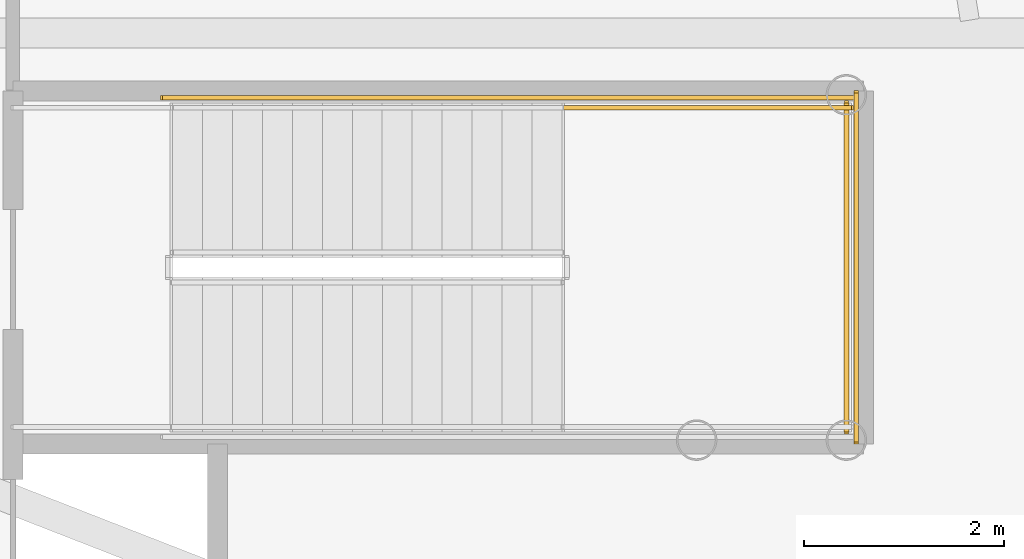
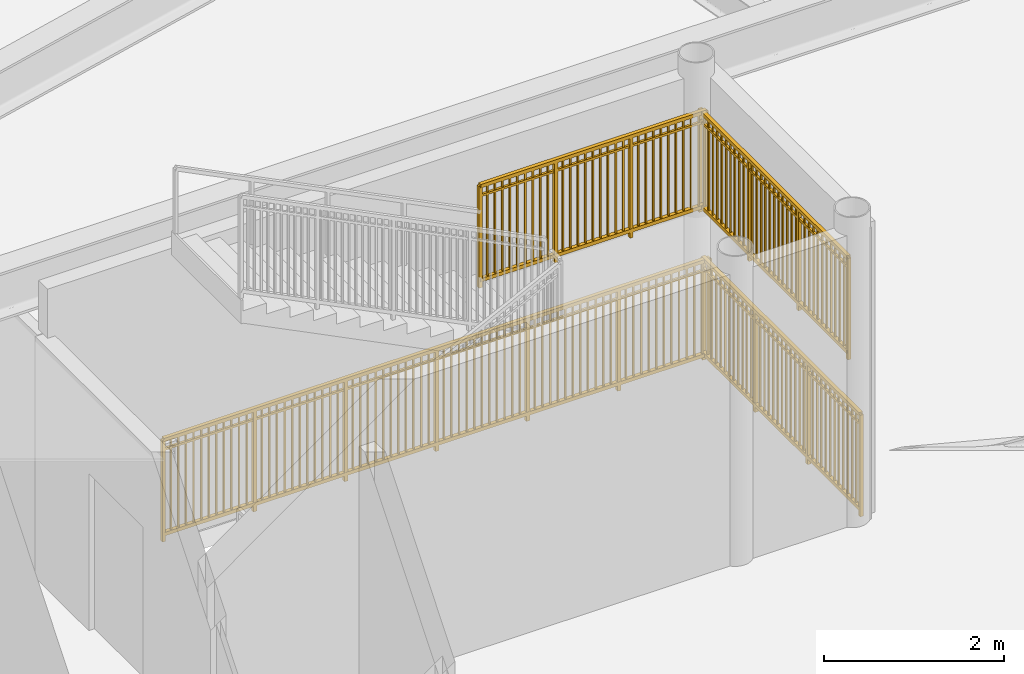
# One storey, part 27 of 28: 4 railings.
"""IFC4 building model written with IfcOpenShell, lengths in metres."""

from ifc_helpers import new_model, si_unit, direction, frame, origin, origin_2d, place, context, subcontext, project, spatial, rectangle, extrude, source, transform, mapped, material, type_object, element, save


model = new_model("IFC4")

# Units and contexts
model_context = context("Model", 3, precision=1e-05, world=origin(), true_north=direction((0.0, 1.0)))
body_context = subcontext(model_context, "Body", "Model", "MODEL_VIEW")
ifc_project = project(units=[si_unit("LENGTHUNIT", "METRE"), si_unit("AREAUNIT", "SQUARE_METRE"), si_unit("VOLUMEUNIT", "CUBIC_METRE"), si_unit("PLANEANGLEUNIT", "RADIAN"), si_unit("MASSUNIT", "GRAM", prefix="KILO")], contexts=[model_context])

# Site, building, storey
site_placement = place(None, origin())
site = spatial("IfcSite", under=ifc_project, at=site_placement, CompositionType="ELEMENT")
building_placement = place(site_placement, origin())
building = spatial("IfcBuilding", under=site, at=building_placement, Name="Linh Dai School and Residence Tower", CompositionType="ELEMENT")
storey_placement = place(building_placement, frame((0.0, 0.0, 36.60009765625)))
storey = spatial("IfcBuildingStorey", under=building, at=storey_placement, Name="L08", CompositionType="ELEMENT", Elevation=36.60009765625)

# Railings
ifc_material = material(Name="Structural Steel S355JR", Category="steel")
railing_type = type_object("IfcRailingType", Name="RL-ST-GUARD-1400", PredefinedType="GUARDRAIL", material=ifc_material)
shared_shape_1 = source(origin(), body_context, "Body", "SweptSolid", [
    extrude(rectangle(XDim=0.048095703125, YDim=0.048095703125, at=origin_2d()), frame((0.0, 0.0, 1.3759765625), z_axis=(0.0, 1.0, 0.0), x_axis=(-1.0, 0.0, 0.0)), (0.0, 0.0, 1.0), 3.300048828125),
    extrude(rectangle(XDim=0.048095703125, YDim=0.048095703125, at=origin_2d()), frame((0.0, 0.0, 0.10009765625), z_axis=(0.0, 1.0, 0.0), x_axis=(-1.0, 0.0, 0.0)), (0.0, 0.0, 1.0), 3.300048828125),
    extrude(rectangle(XDim=0.030029296875, YDim=0.030029296875, at=origin_2d()), frame((0.0, 0.0, 1.239990234375), z_axis=(0.0, 1.0, 0.0), x_axis=(-1.0, 0.0, 0.0)), (0.0, 0.0, 1.0), 3.300048828125),
    extrude(rectangle(XDim=0.02001953125, YDim=0.02001953125, at=origin_2d()), frame((0.0, 0.09716796875, 0.10009765625)), (0.0, 0.0, 1.0), 1.251708984375),
    extrude(rectangle(XDim=0.02001953125, YDim=0.02001953125, at=origin_2d()), frame((0.0, 0.194091796875, 0.10009765625)), (0.0, 0.0, 1.0), 1.251708984375),
    extrude(rectangle(XDim=0.02001953125, YDim=0.02001953125, at=origin_2d()), frame((0.0, 0.291259765625, 0.10009765625)), (0.0, 0.0, 1.0), 1.251708984375),
    extrude(rectangle(XDim=0.02001953125, YDim=0.02001953125, at=origin_2d()), frame((0.0, 0.38818359375, 0.10009765625)), (0.0, 0.0, 1.0), 1.251708984375),
    extrude(rectangle(XDim=0.02001953125, YDim=0.02001953125, at=origin_2d()), frame((0.0, 0.4853515625, 0.10009765625)), (0.0, 0.0, 1.0), 1.251708984375),
    extrude(rectangle(XDim=0.02001953125, YDim=0.02001953125, at=origin_2d()), frame((0.0, 0.582275390625, 0.10009765625)), (0.0, 0.0, 1.0), 1.251708984375),
    extrude(rectangle(XDim=0.02001953125, YDim=0.02001953125, at=origin_2d()), frame((0.0, 0.679443359375, 0.10009765625)), (0.0, 0.0, 1.0), 1.251708984375),
    extrude(rectangle(XDim=0.02001953125, YDim=0.02001953125, at=origin_2d()), frame((0.0, 0.7763671875, 0.10009765625)), (0.0, 0.0, 1.0), 1.251708984375),
    extrude(rectangle(XDim=0.02001953125, YDim=0.02001953125, at=origin_2d()), frame((0.0, 0.87353515625, 0.10009765625)), (0.0, 0.0, 1.0), 1.251708984375),
    extrude(rectangle(XDim=0.02001953125, YDim=0.02001953125, at=origin_2d()), frame((0.0, 0.970703125, 0.10009765625)), (0.0, 0.0, 1.0), 1.251708984375),
    extrude(rectangle(XDim=0.02001953125, YDim=0.02001953125, at=origin_2d()), frame((0.0, 1.164794921875, 0.10009765625)), (0.0, 0.0, 1.0), 1.251708984375),
    extrude(rectangle(XDim=0.02001953125, YDim=0.02001953125, at=origin_2d()), frame((0.0, 1.26171875, 0.10009765625)), (0.0, 0.0, 1.0), 1.251708984375),
    extrude(rectangle(XDim=0.02001953125, YDim=0.02001953125, at=origin_2d()), frame((0.0, 1.35888671875, 0.10009765625)), (0.0, 0.0, 1.0), 1.251708984375),
    extrude(rectangle(XDim=0.02001953125, YDim=0.02001953125, at=origin_2d()), frame((0.0, 1.455810546875, 0.10009765625)), (0.0, 0.0, 1.0), 1.251708984375),
    extrude(rectangle(XDim=0.02001953125, YDim=0.02001953125, at=origin_2d()), frame((0.0, 1.552978515625, 0.10009765625)), (0.0, 0.0, 1.0), 1.251708984375),
    extrude(rectangle(XDim=0.02001953125, YDim=0.02001953125, at=origin_2d()), frame((0.0, 1.64990234375, 0.10009765625)), (0.0, 0.0, 1.0), 1.251708984375),
    extrude(rectangle(XDim=0.02001953125, YDim=0.02001953125, at=origin_2d()), frame((0.0, 1.7470703125, 0.10009765625)), (0.0, 0.0, 1.0), 1.251708984375),
    extrude(rectangle(XDim=0.02001953125, YDim=0.02001953125, at=origin_2d()), frame((0.0, 1.84423828125, 0.10009765625)), (0.0, 0.0, 1.0), 1.251708984375),
    extrude(rectangle(XDim=0.02001953125, YDim=0.02001953125, at=origin_2d()), frame((0.0, 1.941162109375, 0.10009765625)), (0.0, 0.0, 1.0), 1.251708984375),
    extrude(rectangle(XDim=0.02001953125, YDim=0.02001953125, at=origin_2d()), frame((0.0, 2.038330078125, 0.10009765625)), (0.0, 0.0, 1.0), 1.251708984375),
    extrude(rectangle(XDim=0.02001953125, YDim=0.02001953125, at=origin_2d()), frame((0.0, 2.13525390625, 0.10009765625)), (0.0, 0.0, 1.0), 1.251708984375),
    extrude(rectangle(XDim=0.02001953125, YDim=0.02001953125, at=origin_2d()), frame((0.0, 2.329345703125, 0.10009765625)), (0.0, 0.0, 1.0), 1.251708984375),
    extrude(rectangle(XDim=0.02001953125, YDim=0.02001953125, at=origin_2d()), frame((0.0, 2.426513671875, 0.10009765625)), (0.0, 0.0, 1.0), 1.251708984375),
    extrude(rectangle(XDim=0.02001953125, YDim=0.02001953125, at=origin_2d()), frame((0.0, 2.523681640625, 0.10009765625)), (0.0, 0.0, 1.0), 1.251708984375),
    extrude(rectangle(XDim=0.02001953125, YDim=0.02001953125, at=origin_2d()), frame((0.0, 2.62060546875, 0.10009765625)), (0.0, 0.0, 1.0), 1.251708984375),
    extrude(rectangle(XDim=0.02001953125, YDim=0.02001953125, at=origin_2d()), frame((0.0, 2.7177734375, 0.10009765625)), (0.0, 0.0, 1.0), 1.251708984375),
    extrude(rectangle(XDim=0.02001953125, YDim=0.02001953125, at=origin_2d()), frame((0.0, 2.814697265625, 0.10009765625)), (0.0, 0.0, 1.0), 1.251708984375),
    extrude(rectangle(XDim=0.02001953125, YDim=0.02001953125, at=origin_2d()), frame((0.0, 2.911865234375, 0.10009765625)), (0.0, 0.0, 1.0), 1.251708984375),
    extrude(rectangle(XDim=0.02001953125, YDim=0.02001953125, at=origin_2d()), frame((0.0, 3.0087890625, 0.10009765625)), (0.0, 0.0, 1.0), 1.251708984375),
    extrude(rectangle(XDim=0.02001953125, YDim=0.02001953125, at=origin_2d()), frame((0.0, 3.10595703125, 0.10009765625)), (0.0, 0.0, 1.0), 1.251708984375),
    extrude(rectangle(XDim=0.02001953125, YDim=0.02001953125, at=origin_2d()), frame((0.0, 3.202880859375, 0.10009765625)), (0.0, 0.0, 1.0), 1.251708984375),
    extrude(rectangle(XDim=0.0419921875, YDim=0.0419921875, at=origin_2d()), origin(), (0.0, 0.0, 1.0), 1.3759765625),
    extrude(rectangle(XDim=0.0419921875, YDim=0.0419921875, at=origin_2d()), frame((0.0, 1.10009765625, 0.0)), (0.0, 0.0, 1.0), 1.3759765625),
    extrude(rectangle(XDim=0.0419921875, YDim=0.0419921875, at=origin_2d()), frame((0.0, 2.199951171875, 0.0)), (0.0, 0.0, 1.0), 1.3759765625),
    extrude(rectangle(XDim=0.0419921875, YDim=0.0419921875, at=origin_2d()), frame((0.0, 3.300048828125, 0.0)), (0.0, 0.0, 1.0), 1.3759765625),
])
railing_1_placement = place(storey_placement, frame((56.35009765625, 23.0, 2.099853515625)))
element("IfcRailing", 1, at=railing_1_placement, inside=storey, type_object=railing_type, Name="L08 STS2 stair guard 5", PredefinedType="GUARDRAIL", context=body_context, shape_type="MappedRepresentation", body=[
    mapped(shared_shape_1, transform((0.0, 0.0, 0.0), x_axis=(1.0, 0.0, 0.0), y_axis=(0.0, 1.0, 0.0), z_axis=(0.0, 0.0, 1.0), scale=1.0)),
])
shared_shape_2 = source(origin(), body_context, "Body", "SweptSolid", [
    extrude(rectangle(XDim=0.048095703125, YDim=0.048095703125, at=origin_2d()), frame((0.0, 0.0, 1.3759765625), z_axis=(1.0, 0.0, 0.0), x_axis=(0.0, 1.0, 0.0)), (0.0, 0.0, 1.0), 2.89990234375),
    extrude(rectangle(XDim=0.048095703125, YDim=0.048095703125, at=origin_2d()), frame((0.0, 0.0, 0.10009765625), z_axis=(1.0, 0.0, 0.0), x_axis=(0.0, 1.0, 0.0)), (0.0, 0.0, 1.0), 2.89990234375),
    extrude(rectangle(XDim=0.030029296875, YDim=0.030029296875, at=origin_2d()), frame((0.0, 0.0, 1.239990234375), z_axis=(1.0, 0.0, 0.0), x_axis=(0.0, 1.0, 0.0)), (0.0, 0.0, 1.0), 2.89990234375),
    extrude(rectangle(XDim=0.02001953125, YDim=0.02001953125, at=origin_2d()), frame((0.0966796875, 0.0, 0.10009765625)), (0.0, 0.0, 1.0), 1.251708984375),
    extrude(rectangle(XDim=0.02001953125, YDim=0.02001953125, at=origin_2d()), frame((0.193359375, 0.0, 0.10009765625)), (0.0, 0.0, 1.0), 1.251708984375),
    extrude(rectangle(XDim=0.02001953125, YDim=0.02001953125, at=origin_2d()), frame((0.2900390625, 0.0, 0.10009765625)), (0.0, 0.0, 1.0), 1.251708984375),
    extrude(rectangle(XDim=0.02001953125, YDim=0.02001953125, at=origin_2d()), frame((0.38671875, 0.0, 0.10009765625)), (0.0, 0.0, 1.0), 1.251708984375),
    extrude(rectangle(XDim=0.02001953125, YDim=0.02001953125, at=origin_2d()), frame((0.4833984375, 0.0, 0.10009765625)), (0.0, 0.0, 1.0), 1.251708984375),
    extrude(rectangle(XDim=0.02001953125, YDim=0.02001953125, at=origin_2d()), frame((0.580078125, 0.0, 0.10009765625)), (0.0, 0.0, 1.0), 1.251708984375),
    extrude(rectangle(XDim=0.02001953125, YDim=0.02001953125, at=origin_2d()), frame((0.6767578125, 0.0, 0.10009765625)), (0.0, 0.0, 1.0), 1.251708984375),
    extrude(rectangle(XDim=0.02001953125, YDim=0.02001953125, at=origin_2d()), frame((0.773193359375, 0.0, 0.10009765625)), (0.0, 0.0, 1.0), 1.251708984375),
    extrude(rectangle(XDim=0.02001953125, YDim=0.02001953125, at=origin_2d()), frame((0.869873046875, 0.0, 0.10009765625)), (0.0, 0.0, 1.0), 1.251708984375),
    extrude(rectangle(XDim=0.02001953125, YDim=0.02001953125, at=origin_2d()), frame((1.063232421875, 0.0, 0.10009765625)), (0.0, 0.0, 1.0), 1.251708984375),
    extrude(rectangle(XDim=0.02001953125, YDim=0.02001953125, at=origin_2d()), frame((1.159912109375, 0.0, 0.10009765625)), (0.0, 0.0, 1.0), 1.251708984375),
    extrude(rectangle(XDim=0.02001953125, YDim=0.02001953125, at=origin_2d()), frame((1.256591796875, 0.0, 0.10009765625)), (0.0, 0.0, 1.0), 1.251708984375),
    extrude(rectangle(XDim=0.02001953125, YDim=0.02001953125, at=origin_2d()), frame((1.353271484375, 0.0, 0.10009765625)), (0.0, 0.0, 1.0), 1.251708984375),
    extrude(rectangle(XDim=0.02001953125, YDim=0.02001953125, at=origin_2d()), frame((1.449951171875, 0.0, 0.10009765625)), (0.0, 0.0, 1.0), 1.251708984375),
    extrude(rectangle(XDim=0.02001953125, YDim=0.02001953125, at=origin_2d()), frame((1.546630859375, 0.0, 0.10009765625)), (0.0, 0.0, 1.0), 1.251708984375),
    extrude(rectangle(XDim=0.02001953125, YDim=0.02001953125, at=origin_2d()), frame((1.643310546875, 0.0, 0.10009765625)), (0.0, 0.0, 1.0), 1.251708984375),
    extrude(rectangle(XDim=0.02001953125, YDim=0.02001953125, at=origin_2d()), frame((1.739990234375, 0.0, 0.10009765625)), (0.0, 0.0, 1.0), 1.251708984375),
    extrude(rectangle(XDim=0.02001953125, YDim=0.02001953125, at=origin_2d()), frame((1.836669921875, 0.0, 0.10009765625)), (0.0, 0.0, 1.0), 1.251708984375),
    extrude(rectangle(XDim=0.02001953125, YDim=0.02001953125, at=origin_2d()), frame((2.030029296875, 0.0, 0.10009765625)), (0.0, 0.0, 1.0), 1.251708984375),
    extrude(rectangle(XDim=0.02001953125, YDim=0.02001953125, at=origin_2d()), frame((2.126708984375, 0.0, 0.10009765625)), (0.0, 0.0, 1.0), 1.251708984375),
    extrude(rectangle(XDim=0.02001953125, YDim=0.02001953125, at=origin_2d()), frame((2.22314453125, 0.0, 0.10009765625)), (0.0, 0.0, 1.0), 1.251708984375),
    extrude(rectangle(XDim=0.02001953125, YDim=0.02001953125, at=origin_2d()), frame((2.31982421875, 0.0, 0.10009765625)), (0.0, 0.0, 1.0), 1.251708984375),
    extrude(rectangle(XDim=0.02001953125, YDim=0.02001953125, at=origin_2d()), frame((2.41650390625, 0.0, 0.10009765625)), (0.0, 0.0, 1.0), 1.251708984375),
    extrude(rectangle(XDim=0.02001953125, YDim=0.02001953125, at=origin_2d()), frame((2.51318359375, 0.0, 0.10009765625)), (0.0, 0.0, 1.0), 1.251708984375),
    extrude(rectangle(XDim=0.02001953125, YDim=0.02001953125, at=origin_2d()), frame((2.60986328125, 0.0, 0.10009765625)), (0.0, 0.0, 1.0), 1.251708984375),
    extrude(rectangle(XDim=0.02001953125, YDim=0.02001953125, at=origin_2d()), frame((2.70654296875, 0.0, 0.10009765625)), (0.0, 0.0, 1.0), 1.251708984375),
    extrude(rectangle(XDim=0.02001953125, YDim=0.02001953125, at=origin_2d()), frame((2.80322265625, 0.0, 0.10009765625)), (0.0, 0.0, 1.0), 1.251708984375),
    extrude(rectangle(XDim=0.0419921875, YDim=0.0419921875, at=origin_2d()), origin(), (0.0, 0.0, 1.0), 1.3759765625),
    extrude(rectangle(XDim=0.0419921875, YDim=0.0419921875, at=origin_2d()), frame((0.966552734375, 0.0, 0.0)), (0.0, 0.0, 1.0), 1.3759765625),
    extrude(rectangle(XDim=0.0419921875, YDim=0.0419921875, at=origin_2d()), frame((1.933349609375, 0.0, 0.0)), (0.0, 0.0, 1.0), 1.3759765625),
    extrude(rectangle(XDim=0.0419921875, YDim=0.0419921875, at=origin_2d()), frame((2.89990234375, 0.0, 0.0)), (0.0, 0.0, 1.0), 1.3759765625),
])
railing_2_placement = place(storey_placement, frame((53.5, 26.25, 2.099853515625)))
element("IfcRailing", 2, at=railing_2_placement, inside=storey, type_object=railing_type, Name="L08 STS2 stair guard 4", PredefinedType="GUARDRAIL", context=body_context, shape_type="MappedRepresentation", body=[
    mapped(shared_shape_2, transform((0.0, 0.0, 0.0), x_axis=(1.0, 0.0, 0.0), y_axis=(0.0, 1.0, 0.0), z_axis=(0.0, 0.0, 1.0), scale=1.0)),
])
shared_shape_3 = source(origin(), body_context, "Body", "SweptSolid", [
    extrude(rectangle(XDim=0.048095703125, YDim=0.048095703125, at=origin_2d()), frame((0.0, 0.0, 1.3759765625), z_axis=(1.0, 0.0, 0.0), x_axis=(0.0, 1.0, 0.0)), (0.0, 0.0, 1.0), 7.0),
    extrude(rectangle(XDim=0.048095703125, YDim=0.048095703125, at=origin_2d()), frame((0.0, 0.0, 0.10009765625), z_axis=(1.0, 0.0, 0.0), x_axis=(0.0, 1.0, 0.0)), (0.0, 0.0, 1.0), 7.0),
    extrude(rectangle(XDim=0.030029296875, YDim=0.030029296875, at=origin_2d()), frame((0.0, 0.0, 1.239990234375), z_axis=(1.0, 0.0, 0.0), x_axis=(0.0, 1.0, 0.0)), (0.0, 0.0, 1.0), 7.0),
    extrude(rectangle(XDim=0.02001953125, YDim=0.02001953125, at=origin_2d()), frame((0.09716796875, 0.0, 0.10009765625)), (0.0, 0.0, 1.0), 1.251708984375),
    extrude(rectangle(XDim=0.02001953125, YDim=0.02001953125, at=origin_2d()), frame((0.1943359375, 0.0, 0.10009765625)), (0.0, 0.0, 1.0), 1.251708984375),
    extrude(rectangle(XDim=0.02001953125, YDim=0.02001953125, at=origin_2d()), frame((0.291748046875, 0.0, 0.10009765625)), (0.0, 0.0, 1.0), 1.251708984375),
    extrude(rectangle(XDim=0.02001953125, YDim=0.02001953125, at=origin_2d()), frame((0.388916015625, 0.0, 0.10009765625)), (0.0, 0.0, 1.0), 1.251708984375),
    extrude(rectangle(XDim=0.02001953125, YDim=0.02001953125, at=origin_2d()), frame((0.486083984375, 0.0, 0.10009765625)), (0.0, 0.0, 1.0), 1.251708984375),
    extrude(rectangle(XDim=0.02001953125, YDim=0.02001953125, at=origin_2d()), frame((0.583251953125, 0.0, 0.10009765625)), (0.0, 0.0, 1.0), 1.251708984375),
    extrude(rectangle(XDim=0.02001953125, YDim=0.02001953125, at=origin_2d()), frame((0.6806640625, 0.0, 0.10009765625)), (0.0, 0.0, 1.0), 1.251708984375),
    extrude(rectangle(XDim=0.02001953125, YDim=0.02001953125, at=origin_2d()), frame((0.77783203125, 0.0, 0.10009765625)), (0.0, 0.0, 1.0), 1.251708984375),
    extrude(rectangle(XDim=0.02001953125, YDim=0.02001953125, at=origin_2d()), frame((0.875, 0.0, 0.10009765625)), (0.0, 0.0, 1.0), 1.251708984375),
    extrude(rectangle(XDim=0.02001953125, YDim=0.02001953125, at=origin_2d()), frame((0.97216796875, 0.0, 0.10009765625)), (0.0, 0.0, 1.0), 1.251708984375),
    extrude(rectangle(XDim=0.02001953125, YDim=0.02001953125, at=origin_2d()), frame((1.0693359375, 0.0, 0.10009765625)), (0.0, 0.0, 1.0), 1.251708984375),
    extrude(rectangle(XDim=0.02001953125, YDim=0.02001953125, at=origin_2d()), frame((1.263916015625, 0.0, 0.10009765625)), (0.0, 0.0, 1.0), 1.251708984375),
    extrude(rectangle(XDim=0.02001953125, YDim=0.02001953125, at=origin_2d()), frame((1.361083984375, 0.0, 0.10009765625)), (0.0, 0.0, 1.0), 1.251708984375),
    extrude(rectangle(XDim=0.02001953125, YDim=0.02001953125, at=origin_2d()), frame((1.458251953125, 0.0, 0.10009765625)), (0.0, 0.0, 1.0), 1.251708984375),
    extrude(rectangle(XDim=0.02001953125, YDim=0.02001953125, at=origin_2d()), frame((1.5556640625, 0.0, 0.10009765625)), (0.0, 0.0, 1.0), 1.251708984375),
    extrude(rectangle(XDim=0.02001953125, YDim=0.02001953125, at=origin_2d()), frame((1.65283203125, 0.0, 0.10009765625)), (0.0, 0.0, 1.0), 1.251708984375),
    extrude(rectangle(XDim=0.02001953125, YDim=0.02001953125, at=origin_2d()), frame((1.75, 0.0, 0.10009765625)), (0.0, 0.0, 1.0), 1.251708984375),
    extrude(rectangle(XDim=0.02001953125, YDim=0.02001953125, at=origin_2d()), frame((1.84716796875, 0.0, 0.10009765625)), (0.0, 0.0, 1.0), 1.251708984375),
    extrude(rectangle(XDim=0.02001953125, YDim=0.02001953125, at=origin_2d()), frame((1.9443359375, 0.0, 0.10009765625)), (0.0, 0.0, 1.0), 1.251708984375),
    extrude(rectangle(XDim=0.02001953125, YDim=0.02001953125, at=origin_2d()), frame((2.041748046875, 0.0, 0.10009765625)), (0.0, 0.0, 1.0), 1.251708984375),
    extrude(rectangle(XDim=0.02001953125, YDim=0.02001953125, at=origin_2d()), frame((2.138916015625, 0.0, 0.10009765625)), (0.0, 0.0, 1.0), 1.251708984375),
    extrude(rectangle(XDim=0.02001953125, YDim=0.02001953125, at=origin_2d()), frame((2.236083984375, 0.0, 0.10009765625)), (0.0, 0.0, 1.0), 1.251708984375),
    extrude(rectangle(XDim=0.02001953125, YDim=0.02001953125, at=origin_2d()), frame((2.4306640625, 0.0, 0.10009765625)), (0.0, 0.0, 1.0), 1.251708984375),
    extrude(rectangle(XDim=0.02001953125, YDim=0.02001953125, at=origin_2d()), frame((2.52783203125, 0.0, 0.10009765625)), (0.0, 0.0, 1.0), 1.251708984375),
    extrude(rectangle(XDim=0.02001953125, YDim=0.02001953125, at=origin_2d()), frame((2.625, 0.0, 0.10009765625)), (0.0, 0.0, 1.0), 1.251708984375),
    extrude(rectangle(XDim=0.02001953125, YDim=0.02001953125, at=origin_2d()), frame((2.72216796875, 0.0, 0.10009765625)), (0.0, 0.0, 1.0), 1.251708984375),
    extrude(rectangle(XDim=0.02001953125, YDim=0.02001953125, at=origin_2d()), frame((2.8193359375, 0.0, 0.10009765625)), (0.0, 0.0, 1.0), 1.251708984375),
    extrude(rectangle(XDim=0.02001953125, YDim=0.02001953125, at=origin_2d()), frame((2.916748046875, 0.0, 0.10009765625)), (0.0, 0.0, 1.0), 1.251708984375),
    extrude(rectangle(XDim=0.02001953125, YDim=0.02001953125, at=origin_2d()), frame((3.013916015625, 0.0, 0.10009765625)), (0.0, 0.0, 1.0), 1.251708984375),
    extrude(rectangle(XDim=0.02001953125, YDim=0.02001953125, at=origin_2d()), frame((3.111083984375, 0.0, 0.10009765625)), (0.0, 0.0, 1.0), 1.251708984375),
    extrude(rectangle(XDim=0.02001953125, YDim=0.02001953125, at=origin_2d()), frame((3.208251953125, 0.0, 0.10009765625)), (0.0, 0.0, 1.0), 1.251708984375),
    extrude(rectangle(XDim=0.02001953125, YDim=0.02001953125, at=origin_2d()), frame((3.3056640625, 0.0, 0.10009765625)), (0.0, 0.0, 1.0), 1.251708984375),
    extrude(rectangle(XDim=0.02001953125, YDim=0.02001953125, at=origin_2d()), frame((3.40283203125, 0.0, 0.10009765625)), (0.0, 0.0, 1.0), 1.251708984375),
    extrude(rectangle(XDim=0.02001953125, YDim=0.02001953125, at=origin_2d()), frame((3.59716796875, 0.0, 0.10009765625)), (0.0, 0.0, 1.0), 1.251708984375),
    extrude(rectangle(XDim=0.02001953125, YDim=0.02001953125, at=origin_2d()), frame((3.6943359375, 0.0, 0.10009765625)), (0.0, 0.0, 1.0), 1.251708984375),
    extrude(rectangle(XDim=0.02001953125, YDim=0.02001953125, at=origin_2d()), frame((3.791748046875, 0.0, 0.10009765625)), (0.0, 0.0, 1.0), 1.251708984375),
    extrude(rectangle(XDim=0.02001953125, YDim=0.02001953125, at=origin_2d()), frame((3.888916015625, 0.0, 0.10009765625)), (0.0, 0.0, 1.0), 1.251708984375),
    extrude(rectangle(XDim=0.02001953125, YDim=0.02001953125, at=origin_2d()), frame((3.986083984375, 0.0, 0.10009765625)), (0.0, 0.0, 1.0), 1.251708984375),
    extrude(rectangle(XDim=0.02001953125, YDim=0.02001953125, at=origin_2d()), frame((4.083251953125, 0.0, 0.10009765625)), (0.0, 0.0, 1.0), 1.251708984375),
    extrude(rectangle(XDim=0.02001953125, YDim=0.02001953125, at=origin_2d()), frame((4.1806640625, 0.0, 0.10009765625)), (0.0, 0.0, 1.0), 1.251708984375),
    extrude(rectangle(XDim=0.02001953125, YDim=0.02001953125, at=origin_2d()), frame((4.27783203125, 0.0, 0.10009765625)), (0.0, 0.0, 1.0), 1.251708984375),
    extrude(rectangle(XDim=0.02001953125, YDim=0.02001953125, at=origin_2d()), frame((4.375, 0.0, 0.10009765625)), (0.0, 0.0, 1.0), 1.251708984375),
    extrude(rectangle(XDim=0.02001953125, YDim=0.02001953125, at=origin_2d()), frame((4.47216796875, 0.0, 0.10009765625)), (0.0, 0.0, 1.0), 1.251708984375),
    extrude(rectangle(XDim=0.02001953125, YDim=0.02001953125, at=origin_2d()), frame((4.5693359375, 0.0, 0.10009765625)), (0.0, 0.0, 1.0), 1.251708984375),
    extrude(rectangle(XDim=0.02001953125, YDim=0.02001953125, at=origin_2d()), frame((4.763916015625, 0.0, 0.10009765625)), (0.0, 0.0, 1.0), 1.251708984375),
    extrude(rectangle(XDim=0.02001953125, YDim=0.02001953125, at=origin_2d()), frame((4.861083984375, 0.0, 0.10009765625)), (0.0, 0.0, 1.0), 1.251708984375),
    extrude(rectangle(XDim=0.02001953125, YDim=0.02001953125, at=origin_2d()), frame((4.958251953125, 0.0, 0.10009765625)), (0.0, 0.0, 1.0), 1.251708984375),
    extrude(rectangle(XDim=0.02001953125, YDim=0.02001953125, at=origin_2d()), frame((5.0556640625, 0.0, 0.10009765625)), (0.0, 0.0, 1.0), 1.251708984375),
    extrude(rectangle(XDim=0.02001953125, YDim=0.02001953125, at=origin_2d()), frame((5.15283203125, 0.0, 0.10009765625)), (0.0, 0.0, 1.0), 1.251708984375),
    extrude(rectangle(XDim=0.02001953125, YDim=0.02001953125, at=origin_2d()), frame((5.25, 0.0, 0.10009765625)), (0.0, 0.0, 1.0), 1.251708984375),
    extrude(rectangle(XDim=0.02001953125, YDim=0.02001953125, at=origin_2d()), frame((5.34716796875, 0.0, 0.10009765625)), (0.0, 0.0, 1.0), 1.251708984375),
    extrude(rectangle(XDim=0.02001953125, YDim=0.02001953125, at=origin_2d()), frame((5.4443359375, 0.0, 0.10009765625)), (0.0, 0.0, 1.0), 1.251708984375),
    extrude(rectangle(XDim=0.02001953125, YDim=0.02001953125, at=origin_2d()), frame((5.541748046875, 0.0, 0.10009765625)), (0.0, 0.0, 1.0), 1.251708984375),
    extrude(rectangle(XDim=0.02001953125, YDim=0.02001953125, at=origin_2d()), frame((5.638916015625, 0.0, 0.10009765625)), (0.0, 0.0, 1.0), 1.251708984375),
    extrude(rectangle(XDim=0.02001953125, YDim=0.02001953125, at=origin_2d()), frame((5.736083984375, 0.0, 0.10009765625)), (0.0, 0.0, 1.0), 1.251708984375),
    extrude(rectangle(XDim=0.02001953125, YDim=0.02001953125, at=origin_2d()), frame((5.9306640625, 0.0, 0.10009765625)), (0.0, 0.0, 1.0), 1.251708984375),
    extrude(rectangle(XDim=0.02001953125, YDim=0.02001953125, at=origin_2d()), frame((6.02783203125, 0.0, 0.10009765625)), (0.0, 0.0, 1.0), 1.251708984375),
    extrude(rectangle(XDim=0.02001953125, YDim=0.02001953125, at=origin_2d()), frame((6.125, 0.0, 0.10009765625)), (0.0, 0.0, 1.0), 1.251708984375),
    extrude(rectangle(XDim=0.02001953125, YDim=0.02001953125, at=origin_2d()), frame((6.22216796875, 0.0, 0.10009765625)), (0.0, 0.0, 1.0), 1.251708984375),
    extrude(rectangle(XDim=0.02001953125, YDim=0.02001953125, at=origin_2d()), frame((6.3193359375, 0.0, 0.10009765625)), (0.0, 0.0, 1.0), 1.251708984375),
    extrude(rectangle(XDim=0.02001953125, YDim=0.02001953125, at=origin_2d()), frame((6.416748046875, 0.0, 0.10009765625)), (0.0, 0.0, 1.0), 1.251708984375),
    extrude(rectangle(XDim=0.02001953125, YDim=0.02001953125, at=origin_2d()), frame((6.513916015625, 0.0, 0.10009765625)), (0.0, 0.0, 1.0), 1.251708984375),
    extrude(rectangle(XDim=0.02001953125, YDim=0.02001953125, at=origin_2d()), frame((6.611083984375, 0.0, 0.10009765625)), (0.0, 0.0, 1.0), 1.251708984375),
    extrude(rectangle(XDim=0.02001953125, YDim=0.02001953125, at=origin_2d()), frame((6.708251953125, 0.0, 0.10009765625)), (0.0, 0.0, 1.0), 1.251708984375),
    extrude(rectangle(XDim=0.02001953125, YDim=0.02001953125, at=origin_2d()), frame((6.8056640625, 0.0, 0.10009765625)), (0.0, 0.0, 1.0), 1.251708984375),
    extrude(rectangle(XDim=0.02001953125, YDim=0.02001953125, at=origin_2d()), frame((6.90283203125, 0.0, 0.10009765625)), (0.0, 0.0, 1.0), 1.251708984375),
    extrude(rectangle(XDim=0.0419921875, YDim=0.0419921875, at=origin_2d()), origin(), (0.0, 0.0, 1.0), 1.3759765625),
    extrude(rectangle(XDim=0.0419921875, YDim=0.0419921875, at=origin_2d()), frame((1.166748046875, 0.0, 0.0)), (0.0, 0.0, 1.0), 1.3759765625),
    extrude(rectangle(XDim=0.0419921875, YDim=0.0419921875, at=origin_2d()), frame((2.333251953125, 0.0, 0.0)), (0.0, 0.0, 1.0), 1.3759765625),
    extrude(rectangle(XDim=0.0419921875, YDim=0.0419921875, at=origin_2d()), frame((3.5, 0.0, 0.0)), (0.0, 0.0, 1.0), 1.3759765625),
    extrude(rectangle(XDim=0.0419921875, YDim=0.0419921875, at=origin_2d()), frame((4.666748046875, 0.0, 0.0)), (0.0, 0.0, 1.0), 1.3759765625),
    extrude(rectangle(XDim=0.0419921875, YDim=0.0419921875, at=origin_2d()), frame((5.833251953125, 0.0, 0.0)), (0.0, 0.0, 1.0), 1.3759765625),
    extrude(rectangle(XDim=0.0419921875, YDim=0.0419921875, at=origin_2d()), frame((7.0, 0.0, 0.0)), (0.0, 0.0, 1.0), 1.3759765625),
])
railing_3_placement = place(storey_placement, frame((49.5, 26.35009765625, 0.0)))
element("IfcRailing", 3, at=railing_3_placement, inside=storey, type_object=railing_type, Name="L08 STS2 stair guard 11", PredefinedType="GUARDRAIL", context=body_context, shape_type="MappedRepresentation", body=[
    mapped(shared_shape_3, transform((0.0, 0.0, 0.0), x_axis=(1.0, 0.0, 0.0), y_axis=(0.0, 1.0, 0.0), z_axis=(0.0, 0.0, 1.0), scale=1.0)),
])
shared_shape_4 = source(origin(), body_context, "Body", "SweptSolid", [
    extrude(rectangle(XDim=0.048095703125, YDim=0.048095703125, at=origin_2d()), frame((0.0, 0.0, 1.3759765625), z_axis=(0.0, 1.0, 0.0), x_axis=(-1.0, 0.0, 0.0)), (0.0, 0.0, 1.0), 3.5),
    extrude(rectangle(XDim=0.048095703125, YDim=0.048095703125, at=origin_2d()), frame((0.0, 0.0, 0.10009765625), z_axis=(0.0, 1.0, 0.0), x_axis=(-1.0, 0.0, 0.0)), (0.0, 0.0, 1.0), 3.5),
    extrude(rectangle(XDim=0.030029296875, YDim=0.030029296875, at=origin_2d()), frame((0.0, 0.0, 1.239990234375), z_axis=(0.0, 1.0, 0.0), x_axis=(-1.0, 0.0, 0.0)), (0.0, 0.0, 1.0), 3.5),
    extrude(rectangle(XDim=0.02001953125, YDim=0.02001953125, at=origin_2d()), frame((0.0, 0.09716796875, 0.10009765625)), (0.0, 0.0, 1.0), 1.251708984375),
    extrude(rectangle(XDim=0.02001953125, YDim=0.02001953125, at=origin_2d()), frame((0.0, 0.1943359375, 0.10009765625)), (0.0, 0.0, 1.0), 1.251708984375),
    extrude(rectangle(XDim=0.02001953125, YDim=0.02001953125, at=origin_2d()), frame((0.0, 0.291748046875, 0.10009765625)), (0.0, 0.0, 1.0), 1.251708984375),
    extrude(rectangle(XDim=0.02001953125, YDim=0.02001953125, at=origin_2d()), frame((0.0, 0.388916015625, 0.10009765625)), (0.0, 0.0, 1.0), 1.251708984375),
    extrude(rectangle(XDim=0.02001953125, YDim=0.02001953125, at=origin_2d()), frame((0.0, 0.486083984375, 0.10009765625)), (0.0, 0.0, 1.0), 1.251708984375),
    extrude(rectangle(XDim=0.02001953125, YDim=0.02001953125, at=origin_2d()), frame((0.0, 0.583251953125, 0.10009765625)), (0.0, 0.0, 1.0), 1.251708984375),
    extrude(rectangle(XDim=0.02001953125, YDim=0.02001953125, at=origin_2d()), frame((0.0, 0.6806640625, 0.10009765625)), (0.0, 0.0, 1.0), 1.251708984375),
    extrude(rectangle(XDim=0.02001953125, YDim=0.02001953125, at=origin_2d()), frame((0.0, 0.77783203125, 0.10009765625)), (0.0, 0.0, 1.0), 1.251708984375),
    extrude(rectangle(XDim=0.02001953125, YDim=0.02001953125, at=origin_2d()), frame((0.0, 0.875, 0.10009765625)), (0.0, 0.0, 1.0), 1.251708984375),
    extrude(rectangle(XDim=0.02001953125, YDim=0.02001953125, at=origin_2d()), frame((0.0, 0.97216796875, 0.10009765625)), (0.0, 0.0, 1.0), 1.251708984375),
    extrude(rectangle(XDim=0.02001953125, YDim=0.02001953125, at=origin_2d()), frame((0.0, 1.0693359375, 0.10009765625)), (0.0, 0.0, 1.0), 1.251708984375),
    extrude(rectangle(XDim=0.02001953125, YDim=0.02001953125, at=origin_2d()), frame((0.0, 1.263916015625, 0.10009765625)), (0.0, 0.0, 1.0), 1.251708984375),
    extrude(rectangle(XDim=0.02001953125, YDim=0.02001953125, at=origin_2d()), frame((0.0, 1.361083984375, 0.10009765625)), (0.0, 0.0, 1.0), 1.251708984375),
    extrude(rectangle(XDim=0.02001953125, YDim=0.02001953125, at=origin_2d()), frame((0.0, 1.458251953125, 0.10009765625)), (0.0, 0.0, 1.0), 1.251708984375),
    extrude(rectangle(XDim=0.02001953125, YDim=0.02001953125, at=origin_2d()), frame((0.0, 1.5556640625, 0.10009765625)), (0.0, 0.0, 1.0), 1.251708984375),
    extrude(rectangle(XDim=0.02001953125, YDim=0.02001953125, at=origin_2d()), frame((0.0, 1.65283203125, 0.10009765625)), (0.0, 0.0, 1.0), 1.251708984375),
    extrude(rectangle(XDim=0.02001953125, YDim=0.02001953125, at=origin_2d()), frame((0.0, 1.75, 0.10009765625)), (0.0, 0.0, 1.0), 1.251708984375),
    extrude(rectangle(XDim=0.02001953125, YDim=0.02001953125, at=origin_2d()), frame((0.0, 1.84716796875, 0.10009765625)), (0.0, 0.0, 1.0), 1.251708984375),
    extrude(rectangle(XDim=0.02001953125, YDim=0.02001953125, at=origin_2d()), frame((0.0, 1.9443359375, 0.10009765625)), (0.0, 0.0, 1.0), 1.251708984375),
    extrude(rectangle(XDim=0.02001953125, YDim=0.02001953125, at=origin_2d()), frame((0.0, 2.041748046875, 0.10009765625)), (0.0, 0.0, 1.0), 1.251708984375),
    extrude(rectangle(XDim=0.02001953125, YDim=0.02001953125, at=origin_2d()), frame((0.0, 2.138916015625, 0.10009765625)), (0.0, 0.0, 1.0), 1.251708984375),
    extrude(rectangle(XDim=0.02001953125, YDim=0.02001953125, at=origin_2d()), frame((0.0, 2.236083984375, 0.10009765625)), (0.0, 0.0, 1.0), 1.251708984375),
    extrude(rectangle(XDim=0.02001953125, YDim=0.02001953125, at=origin_2d()), frame((0.0, 2.4306640625, 0.10009765625)), (0.0, 0.0, 1.0), 1.251708984375),
    extrude(rectangle(XDim=0.02001953125, YDim=0.02001953125, at=origin_2d()), frame((0.0, 2.52783203125, 0.10009765625)), (0.0, 0.0, 1.0), 1.251708984375),
    extrude(rectangle(XDim=0.02001953125, YDim=0.02001953125, at=origin_2d()), frame((0.0, 2.625, 0.10009765625)), (0.0, 0.0, 1.0), 1.251708984375),
    extrude(rectangle(XDim=0.02001953125, YDim=0.02001953125, at=origin_2d()), frame((0.0, 2.72216796875, 0.10009765625)), (0.0, 0.0, 1.0), 1.251708984375),
    extrude(rectangle(XDim=0.02001953125, YDim=0.02001953125, at=origin_2d()), frame((0.0, 2.8193359375, 0.10009765625)), (0.0, 0.0, 1.0), 1.251708984375),
    extrude(rectangle(XDim=0.02001953125, YDim=0.02001953125, at=origin_2d()), frame((0.0, 2.916748046875, 0.10009765625)), (0.0, 0.0, 1.0), 1.251708984375),
    extrude(rectangle(XDim=0.02001953125, YDim=0.02001953125, at=origin_2d()), frame((0.0, 3.013916015625, 0.10009765625)), (0.0, 0.0, 1.0), 1.251708984375),
    extrude(rectangle(XDim=0.02001953125, YDim=0.02001953125, at=origin_2d()), frame((0.0, 3.111083984375, 0.10009765625)), (0.0, 0.0, 1.0), 1.251708984375),
    extrude(rectangle(XDim=0.02001953125, YDim=0.02001953125, at=origin_2d()), frame((0.0, 3.208251953125, 0.10009765625)), (0.0, 0.0, 1.0), 1.251708984375),
    extrude(rectangle(XDim=0.02001953125, YDim=0.02001953125, at=origin_2d()), frame((0.0, 3.3056640625, 0.10009765625)), (0.0, 0.0, 1.0), 1.251708984375),
    extrude(rectangle(XDim=0.02001953125, YDim=0.02001953125, at=origin_2d()), frame((0.0, 3.40283203125, 0.10009765625)), (0.0, 0.0, 1.0), 1.251708984375),
    extrude(rectangle(XDim=0.0419921875, YDim=0.0419921875, at=origin_2d()), origin(), (0.0, 0.0, 1.0), 1.3759765625),
    extrude(rectangle(XDim=0.0419921875, YDim=0.0419921875, at=origin_2d()), frame((0.0, 1.166748046875, 0.0)), (0.0, 0.0, 1.0), 1.3759765625),
    extrude(rectangle(XDim=0.0419921875, YDim=0.0419921875, at=origin_2d()), frame((0.0, 2.333251953125, 0.0)), (0.0, 0.0, 1.0), 1.3759765625),
    extrude(rectangle(XDim=0.0419921875, YDim=0.0419921875, at=origin_2d()), frame((0.0, 3.5, 0.0)), (0.0, 0.0, 1.0), 1.3759765625),
])
railing_4_placement = place(storey_placement, frame((56.449951171875, 22.89990234375, 0.0)))
element("IfcRailing", 4, at=railing_4_placement, inside=storey, type_object=railing_type, Name="L08 STS2 stair guard 12", PredefinedType="GUARDRAIL", context=body_context, shape_type="MappedRepresentation", body=[
    mapped(shared_shape_4, transform((0.0, 0.0, 0.0), x_axis=(1.0, 0.0, 0.0), y_axis=(0.0, 1.0, 0.0), z_axis=(0.0, 0.0, 1.0), scale=1.0)),
])

save(model, "model.ifc")
